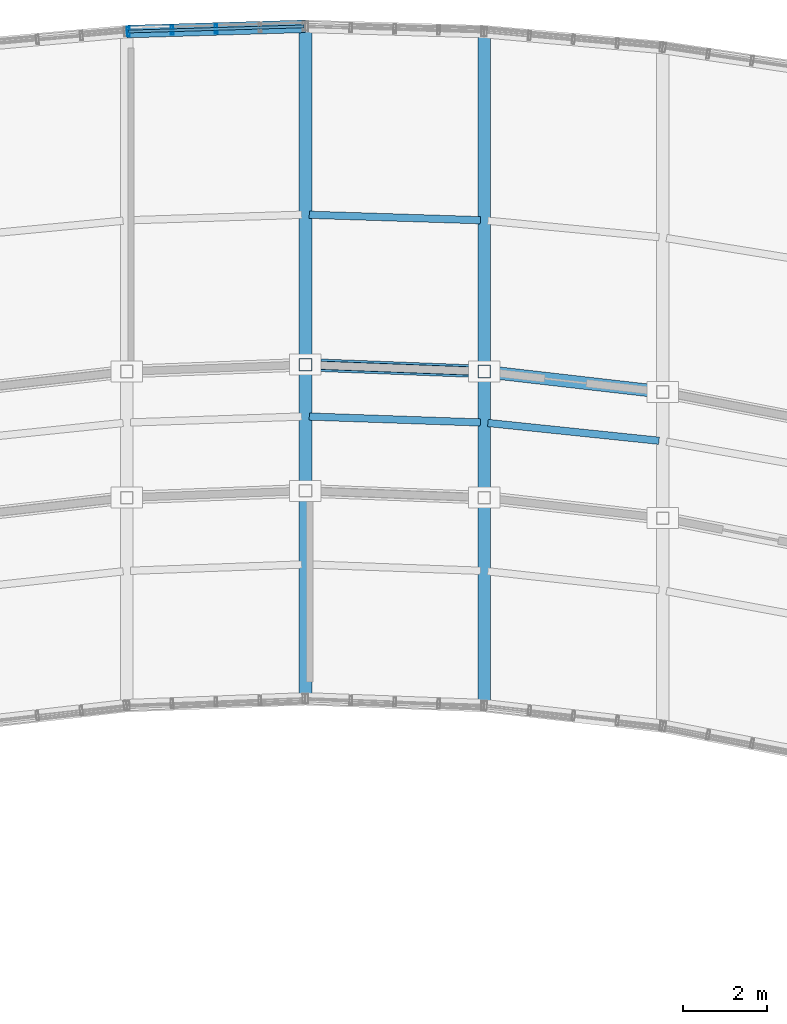
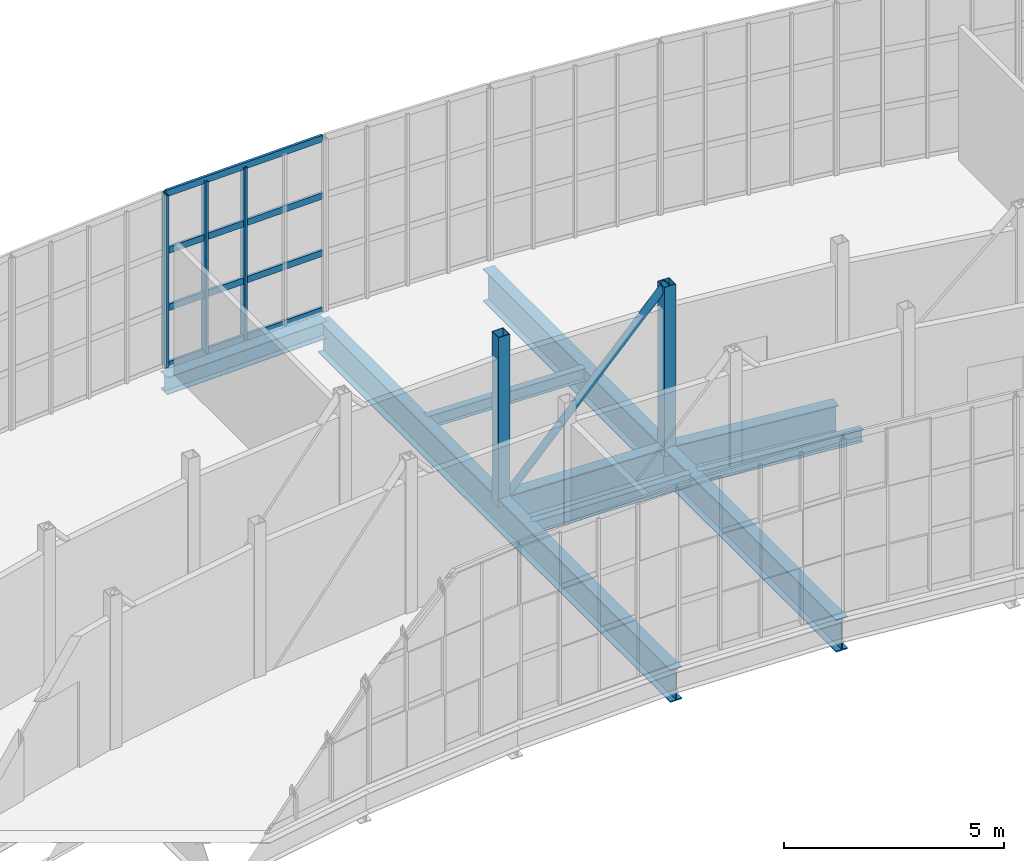
# One storey, part 28 of 46: 10 members, 8 beams, 1 element without a shape of its own.
"""IFC4 building model written with IfcOpenShell, lengths in metres."""

import ifcopenshell
import ifcopenshell.guid

model = None  # the IFC model being written
_history = None  # IfcOwnerHistory: only IFC2X3 demands one
_inside = {}  # id of a spatial element -> (the spatial element, [elements in it])
_under = {}  # id of a project, library or spatial element -> (it, [spatial elements below it])
_declared = {}  # id of a project -> (the project, [libraries it declares])
_typed = {}  # id of a type object -> (the type object, [elements of that type])
_made_of = {}  # id of a material, layer set ... -> (it, [elements and type objects made of it])


def new_model(schema):
    """Start an empty IFC model of exactly this schema.

    Asked for "IFC4X3", IfcOpenShell would pick the latest addendum, in which some entities
    have other attributes; the version numbers below select the first issue.
    IFC2X3 requires an IfcOwnerHistory on every rooted entity: one is made here for all.
    """
    global model, _history
    if schema == "IFC4X3":
        model = ifcopenshell.file(schema_version=(4, 3, 0, 0))
    else:
        model = ifcopenshell.file(schema=schema)
    _inside.clear()
    _under.clear()
    _declared.clear()
    _typed.clear()
    _made_of.clear()
    _history = None
    if model.schema == "IFC2X3":
        org = make("IfcOrganization", Name="unknown")
        user = make(
            "IfcPersonAndOrganization",
            ThePerson=make("IfcPerson", FamilyName="unknown"),
            TheOrganization=org,
        )
        app = make(
            "IfcApplication",
            ApplicationDeveloper=org,
            Version="unknown",
            ApplicationFullName="unknown",
            ApplicationIdentifier="unknown",
        )
        _history = make(
            "IfcOwnerHistory",
            OwningUser=user,
            OwningApplication=app,
            ChangeAction="ADDED",
            CreationDate=0,
        )
    return model


def make(cls, **values):
    """One entity of the class cls with the attributes given. An attribute that is None is left unset."""
    return model.create_entity(
        cls, **{name: value for name, value in values.items() if value is not None}
    )


def rooted(cls, **values):
    """An entity with a GlobalId (a new one), such as an element, a storey or a relation."""
    return make(cls, GlobalId=ifcopenshell.guid.new(), OwnerHistory=_history, **values)


def si_unit(unit_type, name, prefix=None):
    """IfcSIUnit, for example si_unit("LENGTHUNIT", "METRE", prefix="MILLI")."""
    return make("IfcSIUnit", UnitType=unit_type, Prefix=prefix, Name=name)


def assignment(units):
    """IfcUnitAssignment: the units of a project."""
    return None if units is None else make("IfcUnitAssignment", Units=units)


def point(xyz):
    """IfcCartesianPoint."""
    return None if xyz is None else make("IfcCartesianPoint", Coordinates=xyz)


def direction(xyz):
    """IfcDirection."""
    return None if xyz is None else make("IfcDirection", DirectionRatios=xyz)


def frame(location, z_axis=None, x_axis=None):
    """IfcAxis2Placement3D, a coordinate frame: its origin and axes. An axis left out is left unset."""
    return make(
        "IfcAxis2Placement3D",
        Location=point(location),
        Axis=direction(z_axis),
        RefDirection=direction(x_axis),
    )


def frame_2d(location, x_axis=None):
    """IfcAxis2Placement2D, a coordinate frame in the plane: its origin and x axis."""
    return make(
        "IfcAxis2Placement2D", Location=point(location), RefDirection=direction(x_axis)
    )


def origin():
    """The frame at (0, 0, 0) with its axes left unset."""
    return frame((0.0, 0.0, 0.0))


def origin_2d():
    """The frame at (0, 0) in the plane with its x axis left unset."""
    return frame_2d((0.0, 0.0))


def place(relative_to, where):
    """IfcLocalPlacement: puts the frame where relative to a parent placement (None: the world)."""
    return make(
        "IfcLocalPlacement", PlacementRelTo=relative_to, RelativePlacement=where
    )


def context(
    kind, dimensions, precision=None, world=None, true_north=None, identifier=None
):
    """IfcGeometricRepresentationContext, for example the 3D "Model" context."""
    return make(
        "IfcGeometricRepresentationContext",
        ContextIdentifier=identifier,
        ContextType=kind,
        CoordinateSpaceDimension=dimensions,
        Precision=precision,
        WorldCoordinateSystem=world,
        TrueNorth=true_north,
    )


def subcontext(parent, identifier, kind, view, scale=None):
    """IfcGeometricRepresentationSubContext, for example "Body" below "Model"."""
    return make(
        "IfcGeometricRepresentationSubContext",
        ContextIdentifier=identifier,
        ContextType=kind,
        ParentContext=parent,
        TargetScale=scale,
        TargetView=view,
    )


def project(units=None, contexts=None):
    """IfcProject with its units and contexts."""
    return rooted(
        "IfcProject",
        Name="project",
        RepresentationContexts=contexts,
        UnitsInContext=assignment(units),
    )


def spatial(cls, under=None, at=None, **own):
    """A site, building, storey or space (cls), placed at a placement, below another one or the project."""
    s = rooted(cls, ObjectPlacement=at, **own)
    if under is not None:
        _under.setdefault(under.id(), (under, []))[1].append(s)
    return s


def profile(cls, at=None, kind="AREA", **sizes):
    """A parametric profile (cls). Its sizes go by their IFC names, for example OverallWidth=200.0."""
    return make(cls, ProfileType=kind, Position=at, **sizes)


def hollow_rectangle(**sizes):
    """IfcRectangleHollowProfileDef."""
    return profile("IfcRectangleHollowProfileDef", **sizes)


def hollow_circle(**sizes):
    """IfcCircleHollowProfileDef."""
    return profile("IfcCircleHollowProfileDef", **sizes)


def i_section(**sizes):
    """IfcIShapeProfileDef."""
    return profile("IfcIShapeProfileDef", **sizes)


def extrude(swept, where, along, depth):
    """IfcExtrudedAreaSolid: the profile swept, set in the frame where, extruded along a direction by depth."""
    return make(
        "IfcExtrudedAreaSolid",
        SweptArea=swept,
        Position=where,
        ExtrudedDirection=direction(along),
        Depth=depth,
    )


def shape(context_of_items, identifier, shape_type, items):
    """IfcShapeRepresentation: the items that make up one representation, for example the "Body"."""
    return make(
        "IfcShapeRepresentation",
        ContextOfItems=context_of_items,
        RepresentationIdentifier=identifier,
        RepresentationType=shape_type,
        Items=items,
    )


def material(Name=None, Category=None):
    """IfcMaterial."""
    return make("IfcMaterial", Name=Name, Category=Category)


def material_profile(
    of_material, cross_section, Name=None, Category=None, Priority=None
):
    """IfcMaterialProfile: a cross section and its material."""
    return make(
        "IfcMaterialProfile",
        Name=Name,
        Material=of_material,
        Profile=cross_section,
        Priority=Priority,
        Category=Category,
    )


def profile_set(profiles, Name=None, composite=None):
    """IfcMaterialProfileSet."""
    return make(
        "IfcMaterialProfileSet",
        Name=Name,
        MaterialProfiles=profiles,
        CompositeProfile=composite,
    )


def made_of(thing, what):
    """Note that an element or type object is made of a material, layer set ...; save() writes the relation."""
    if what is not None:
        _made_of.setdefault(what.id(), (what, []))[1].append(thing)
    return thing


def type_object(cls, material=None, **own):
    """A type object (cls), such as IfcWallType, which elements share."""
    return made_of(rooted(cls, **own), material)


def element(
    cls,
    number,
    at=None,
    inside=None,
    cuts=None,
    type_object=None,
    material=None,
    context=None,
    identifier="Body",
    shape_type=None,
    held_by="IfcProductDefinitionShape",
    body=None,
    shapes=None,
    **own,
):
    """One element of the class cls, such as IfcWall. Its Tag is "e" and its number.

    at: its placement. inside: the storey or other place that contains it. cuts: it is an
    opening in that element (IfcRelVoidsElement). A single representation is given by context,
    identifier, shape_type and body (its items); several are given by shapes. held_by: the class
    of the entity that holds the representations. save() writes the other relations.
    """
    e = rooted(cls, Tag="e%d" % number, ObjectPlacement=at, **own)
    if body is not None:
        shapes = [shape(context, identifier, shape_type, body)]
    if shapes is not None:
        e.Representation = make(held_by, Representations=shapes)
    if inside is not None:
        _inside.setdefault(inside.id(), (inside, []))[1].append(e)
    if cuts is not None:
        rooted(
            "IfcRelVoidsElement", RelatingBuildingElement=cuts, RelatedOpeningElement=e
        )
    if type_object is not None:
        _typed.setdefault(type_object.id(), (type_object, []))[1].append(e)
    return made_of(e, material)


def aggregate(whole, parts):
    """IfcRelAggregates: a whole, such as a stair, and the parts it consists of."""
    return rooted("IfcRelAggregates", RelatingObject=whole, RelatedObjects=parts)


def save(model, path):
    """Write the relations noted so far, then the file.

    IfcRelAggregates (storeys below a building ...), IfcRelContainedInSpatialStructure (elements
    in a storey), IfcRelDefinesByType, IfcRelAssociatesMaterial and IfcRelDeclares: one each for
    every whole, place, type object, material and project.
    """
    for whole, parts in _under.values():
        aggregate(whole, parts)
    for where, things in _inside.values():
        rooted(
            "IfcRelContainedInSpatialStructure",
            RelatedElements=things,
            RelatingStructure=where,
        )
    for kind, things in _typed.values():
        rooted("IfcRelDefinesByType", RelatedObjects=things, RelatingType=kind)
    for what, things in _made_of.values():
        rooted("IfcRelAssociatesMaterial", RelatedObjects=things, RelatingMaterial=what)
    for by, libraries in _declared.values():
        rooted("IfcRelDeclares", RelatingContext=by, RelatedDefinitions=libraries)
    model.write(path)


model = new_model("IFC4")

# Units and contexts
model_context = context("Model", 3, precision=1e-05, world=origin(), true_north=direction((0.0, 1.0)))
body_context = subcontext(model_context, "Body", "Model", "MODEL_VIEW")
ifc_project = project(units=[si_unit("LENGTHUNIT", "METRE"), si_unit("AREAUNIT", "SQUARE_METRE"), si_unit("VOLUMEUNIT", "CUBIC_METRE"), si_unit("PLANEANGLEUNIT", "RADIAN"), si_unit("MASSUNIT", "GRAM", prefix="KILO")], contexts=[model_context])

# Site, building, storey
site_placement = place(None, origin())
site = spatial("IfcSite", under=ifc_project, at=site_placement, CompositionType="ELEMENT")
building_placement = place(site_placement, origin())
building = spatial("IfcBuilding", under=site, at=building_placement, Name="Solvikara Media Centre", CompositionType="ELEMENT")
storey_placement = place(building_placement, frame((0.0, 0.0, 24.60009765625)))
storey = spatial("IfcBuildingStorey", under=building, at=storey_placement, Name="L05", CompositionType="ELEMENT", Elevation=24.60009765625)

# Beams
ifc_material_1 = material(Name="Steel S355JR", Category="steel")
ifc_material_profile_1 = material_profile(ifc_material_1, i_section(OverallWidth=0.300048828125, OverallDepth=0.89990234375, WebThickness=0.01611328125, FlangeThickness=0.028076171875, at=origin_2d()), Name="WF 900x300x16x28")
ifc_profile_set_1 = profile_set([ifc_material_profile_1], Name="Steel S355JR")
beam_type_1 = type_object("IfcBeamType", Name="BM-15", PredefinedType="BEAM", material=ifc_profile_set_1)
beam_1_placement = place(storey_placement, frame((102.0, 25.467041015625, -0.672119140625), z_axis=(0.0, 1.0, 0.0), x_axis=(-1.0, 0.0, 0.0)))
element("IfcBeam", 1, at=beam_1_placement, inside=storey, type_object=beam_type_1, Name="BG-L05-NS-06", PredefinedType="BEAM", context=body_context, shape_type="SweptSolid", body=[
    extrude(i_section(OverallWidth=0.300048828125, OverallDepth=0.89990234375, WebThickness=0.01611328125, FlangeThickness=0.028076171875, at=origin_2d()), origin(), (0.0, 0.0, 1.0), 16.0),
])
beam_2_placement = place(storey_placement, frame((106.25, 25.304931640625, -0.672119140625), z_axis=(0.0, 1.0, 0.0), x_axis=(-1.0, 0.0, 0.0)))
element("IfcBeam", 2, at=beam_2_placement, inside=storey, type_object=beam_type_1, Name="BG-L05-NS-07", PredefinedType="BEAM", context=body_context, shape_type="SweptSolid", body=[
    extrude(i_section(OverallWidth=0.300048828125, OverallDepth=0.89990234375, WebThickness=0.01611328125, FlangeThickness=0.028076171875, at=origin_2d()), origin(), (0.0, 0.0, 1.0), 16.0361328125),
])
ifc_material_profile_2 = material_profile(ifc_material_1, i_section(OverallWidth=0.300048828125, OverallDepth=0.800048828125, WebThickness=0.013916015625, FlangeThickness=0.02587890625, at=origin_2d()), Name="WF 800x300x14x26")
ifc_profile_set_2 = profile_set([ifc_material_profile_2], Name="Steel S355JR")
beam_type_2 = type_object("IfcBeamType", Name="BM-16", PredefinedType="BEAM", material=ifc_profile_set_2)
beam_3_placement = place(storey_placement, frame((102.090087890625, 33.4140625, -0.6220703125), z_axis=(0.999266124753, -0.038304202383, 0.0), x_axis=(0.038304202383, 0.999266124753, 0.0)))
element("IfcBeam", 3, at=beam_3_placement, inside=storey, type_object=beam_type_2, Name="B-L05-SPNN-06", PredefinedType="BEAM", context=body_context, shape_type="SweptSolid", body=[
    extrude(i_section(OverallWidth=0.300048828125, OverallDepth=0.800048828125, WebThickness=0.013916015625, FlangeThickness=0.02587890625, at=origin_2d()), origin(), (0.0, 0.0, 1.0), 4.07275390625),
])
beam_4_placement = place(storey_placement, frame((106.339111328125, 33.2451171875, -0.6220703125), z_axis=(0.993485932274, -0.113954826025, 0.0), x_axis=(0.113954826025, 0.993485932274, 0.0)))
element("IfcBeam", 4, at=beam_4_placement, inside=storey, type_object=beam_type_2, Name="B-L05-SPNN-07", PredefinedType="BEAM", context=body_context, shape_type="SweptSolid", body=[
    extrude(i_section(OverallWidth=0.300048828125, OverallDepth=0.800048828125, WebThickness=0.013916015625, FlangeThickness=0.02587890625, at=origin_2d()), origin(), (0.0, 0.0, 1.0), 4.098388671875),
])
ifc_material_profile_3 = material_profile(ifc_material_1, i_section(OverallWidth=0.175048828125, OverallDepth=0.35009765625, WebThickness=0.007080078125, FlangeThickness=0.010986328125, at=origin_2d()), Name="WF 350x175x7x11")
ifc_profile_set_3 = profile_set([ifc_material_profile_3], Name="Steel S355JR")
beam_type_3 = type_object("IfcBeamType", Name="BM-22", PredefinedType="JOIST", material=ifc_profile_set_3)
beam_5_placement = place(storey_placement, frame((102.090087890625, 32.18408203125, -0.397216796875), z_axis=(0.999399430727, -0.034652241809, 0.0), x_axis=(0.034652241809, 0.999399430727, 0.0)))
element("IfcBeam", 5, at=beam_5_placement, inside=storey, type_object=beam_type_3, Name="BJ-L05-06-42", PredefinedType="JOIST", context=body_context, shape_type="SweptSolid", body=[
    extrude(i_section(OverallWidth=0.175048828125, OverallDepth=0.35009765625, WebThickness=0.007080078125, FlangeThickness=0.010986328125, at=origin_2d()), origin(), (0.0, 0.0, 1.0), 4.072265625),
])
beam_6_placement = place(storey_placement, frame((102.090087890625, 36.98388671875, -0.397216796875), z_axis=(0.999491149174, -0.031897378006, 0.0), x_axis=(0.031897378006, 0.999491149174, 0.0)))
element("IfcBeam", 6, at=beam_6_placement, inside=storey, type_object=beam_type_3, Name="BJ-L05-06-72", PredefinedType="JOIST", context=body_context, shape_type="SweptSolid", body=[
    extrude(i_section(OverallWidth=0.175048828125, OverallDepth=0.35009765625, WebThickness=0.007080078125, FlangeThickness=0.010986328125, at=origin_2d()), origin(), (0.0, 0.0, 1.0), 4.07177734375),
])
beam_7_placement = place(storey_placement, frame((106.340087890625, 32.031005859375, -0.397216796875), z_axis=(0.99463965164, -0.103401950587, 0.0), x_axis=(0.103401950587, 0.99463965164, 0.0)))
element("IfcBeam", 7, at=beam_7_placement, inside=storey, type_object=beam_type_3, Name="BJ-L05-07-42", PredefinedType="JOIST", context=body_context, shape_type="SweptSolid", body=[
    extrude(i_section(OverallWidth=0.175048828125, OverallDepth=0.35009765625, WebThickness=0.007080078125, FlangeThickness=0.010986328125, at=origin_2d()), origin(), (0.0, 0.0, 1.0), 4.091796875),
])
ifc_material_profile_4 = material_profile(ifc_material_1, i_section(OverallWidth=0.300048828125, OverallDepth=0.48193359375, WebThickness=0.010986328125, FlangeThickness=0.014892578125, at=origin_2d()), Name="WF 482x300x11x15")
ifc_profile_set_4 = profile_set([ifc_material_profile_4], Name="Steel S355JR")
beam_type_4 = type_object("IfcBeamType", Name="BM-32", PredefinedType="SPANDREL", material=ifc_profile_set_4)
beam_8_placement = place(storey_placement, frame((97.75, 41.341064453125, -0.463134765625), z_axis=(0.99956097871, 0.029628530849, 0.0), x_axis=(-0.029628530849, 0.99956097871, 0.0)))
element("IfcBeam", 8, at=beam_8_placement, inside=storey, type_object=beam_type_4, Name="B-L05-NARC-05", PredefinedType="SPANDREL", context=body_context, shape_type="SweptSolid", body=[
    extrude(i_section(OverallWidth=0.300048828125, OverallDepth=0.48193359375, WebThickness=0.010986328125, FlangeThickness=0.014892578125, at=origin_2d()), origin(), (0.0, 0.0, 1.0), 4.251953125),
])

# Members
ifc_material_profile_5 = material_profile(ifc_material_1, hollow_circle(Radius=0.096923828125, WallThickness=0.008056640625, at=origin_2d()), Name="CHS 193.7x8")
ifc_profile_set_5 = profile_set([ifc_material_profile_5], Name="Steel S355JR")
member_type_1 = type_object("IfcMemberType", Name="MB-06", PredefinedType="BRACE", material=ifc_profile_set_5)
member_1_placement = place(storey_placement, frame((102.0, 33.4169921875, -0.4501953125), z_axis=(0.670471987907, -0.025574069392, 0.741493951699), x_axis=(0.038115664855, 0.999273334025, 0.0)))
element("IfcMember", 9, at=member_1_placement, inside=storey, type_object=member_type_1, Name="WTR-L05-N-DA06", PredefinedType="BRACE", context=body_context, shape_type="SweptSolid", body=[
    extrude(hollow_circle(Radius=0.096923828125, WallThickness=0.008056640625, at=origin_2d()), origin(), (0.0, 0.0, 1.0), 6.3388671875),
])
ifc_material_profile_6 = material_profile(ifc_material_1, hollow_rectangle(XDim=0.300048828125, YDim=0.300048828125, WallThickness=0.012451171875, at=origin_2d()), Name="RHS 300x300x12.5")
ifc_profile_set_6 = profile_set([ifc_material_profile_6], Name="Steel S355JR")
member_type_2 = type_object("IfcMemberType", Name="MB-11", PredefinedType="CHORD", material=ifc_profile_set_6)
for number, where, z_axis, x_axis, name in (
    (10, (102.0, 33.4169921875, -0.4501953125), (0.0, 0.0, 1.0), (1.0, 0.0, 0.0), "WTR-L05-N-V06"),
    (11, (106.25, 33.2548828125, -0.4501953125), (0.0, 0.0, 1.0), (1.0, 0.0, 0.0), "WTR-L05-N-V07"),
):
    element("IfcMember", number, at=place(storey_placement, frame(where, z_axis=z_axis, x_axis=x_axis)), inside=storey, type_object=member_type_2, Name=name, PredefinedType="CHORD", context=body_context, shape_type="SweptSolid", body=[
        extrude(hollow_rectangle(XDim=0.300048828125, YDim=0.300048828125, WallThickness=0.012451171875, at=origin_2d()), origin(), (0.0, 0.0, 1.0), 4.7001953125),
    ])

# Curtain wall, members
ifc_material_2 = material(Name="Anodised aluminium EN AW-6063", Category="aluminium")
curtain_wall_type = type_object("IfcCurtainWallType", Name="CW-02", PredefinedType="NOTDEFINED", material=ifc_material_2)
curtain_wall_placement = place(storey_placement, origin())
curtain_wall = element("IfcCurtainWall", 12, at=curtain_wall_placement, inside=storey, type_object=curtain_wall_type, Name="CW-L05-NARC-05", PredefinedType="NOTDEFINED")
ifc_material_profile_7 = material_profile(ifc_material_2, hollow_rectangle(XDim=0.06494140625, YDim=0.219970703125, WallThickness=0.00390625, at=origin_2d()), Name="ALU-M 65x220x4")
ifc_profile_set_7 = profile_set([ifc_material_profile_7], Name="Anodised aluminium EN AW-6063")
member_type_3 = type_object("IfcMemberType", Name="MF-01", PredefinedType="MULLION", material=ifc_profile_set_7)
member_2_placement = place(storey_placement, frame((97.784912109375, 41.342041015625, 0.02001953125), z_axis=(0.0, 0.0, 1.0), x_axis=(0.999560377741, 0.02964879847, 0.0)))
member_2 = element("IfcMember", 13, at=member_2_placement, type_object=member_type_3, Name="CW-L05-NARC-05-M00", PredefinedType="MULLION", context=body_context, shape_type="SweptSolid", body=[
    extrude(hollow_rectangle(XDim=0.06494140625, YDim=0.219970703125, WallThickness=0.00390625, at=origin_2d()), origin(), (0.0, 0.0, 1.0), 4.759765625),
])
member_3_placement = place(storey_placement, frame((98.830078125, 41.373046875, 0.02001953125), z_axis=(0.0, 0.0, 1.0), x_axis=(0.999560377741, 0.02964879847, 0.0)))
member_3 = element("IfcMember", 14, at=member_3_placement, type_object=member_type_3, Name="CW-L05-NARC-05-M01", PredefinedType="MULLION", context=body_context, shape_type="SweptSolid", body=[
    extrude(hollow_rectangle(XDim=0.06494140625, YDim=0.219970703125, WallThickness=0.00390625, at=origin_2d()), origin(), (0.0, 0.0, 1.0), 4.759765625),
])
member_4_placement = place(storey_placement, frame((99.875, 41.404052734375, 0.02001953125), z_axis=(0.0, 0.0, 1.0), x_axis=(0.999560377741, 0.02964879847, 0.0)))
member_4 = element("IfcMember", 15, at=member_4_placement, type_object=member_type_3, Name="CW-L05-NARC-05-M02", PredefinedType="MULLION", context=body_context, shape_type="SweptSolid", body=[
    extrude(hollow_rectangle(XDim=0.06494140625, YDim=0.219970703125, WallThickness=0.00390625, at=origin_2d()), origin(), (0.0, 0.0, 1.0), 4.759765625),
])
ifc_material_profile_8 = material_profile(ifc_material_2, hollow_rectangle(XDim=0.06494140625, YDim=0.179931640625, WallThickness=0.00341796875, at=origin_2d()), Name="ALU-T 65x180x3.5")
ifc_profile_set_8 = profile_set([ifc_material_profile_8], Name="Anodised aluminium EN AW-6063")
member_type_4 = type_object("IfcMemberType", Name="MF-07", PredefinedType="USERDEFINED", material=ifc_profile_set_8)
member_5_placement = place(storey_placement, frame((97.784912109375, 41.342041015625, 0.02001953125), z_axis=(0.999560152797, 0.029656381125, 0.0), x_axis=(-0.029656381125, 0.999560152797, 0.0)))
member_5 = element("IfcMember", 16, at=member_5_placement, type_object=member_type_4, Name="CW-L05-NARC-05-T00", ObjectType="TRANSOM", PredefinedType="USERDEFINED", context=body_context, shape_type="SweptSolid", body=[
    extrude(hollow_rectangle(XDim=0.06494140625, YDim=0.179931640625, WallThickness=0.00341796875, at=origin_2d()), origin(), (0.0, 0.0, 1.0), 4.18212890625),
])
member_6_placement = place(storey_placement, frame((97.784912109375, 41.342041015625, 1.60693359375), z_axis=(0.999560152797, 0.029656381125, 0.0), x_axis=(-0.029656381125, 0.999560152797, 0.0)))
member_6 = element("IfcMember", 17, at=member_6_placement, type_object=member_type_4, Name="CW-L05-NARC-05-T01", ObjectType="TRANSOM", PredefinedType="USERDEFINED", context=body_context, shape_type="SweptSolid", body=[
    extrude(hollow_rectangle(XDim=0.06494140625, YDim=0.179931640625, WallThickness=0.00341796875, at=origin_2d()), origin(), (0.0, 0.0, 1.0), 4.18212890625),
])
member_7_placement = place(storey_placement, frame((97.784912109375, 41.342041015625, 3.19287109375), z_axis=(0.999560152797, 0.029656381125, 0.0), x_axis=(-0.029656381125, 0.999560152797, 0.0)))
member_7 = element("IfcMember", 18, at=member_7_placement, type_object=member_type_4, Name="CW-L05-NARC-05-T02", ObjectType="TRANSOM", PredefinedType="USERDEFINED", context=body_context, shape_type="SweptSolid", body=[
    extrude(hollow_rectangle(XDim=0.06494140625, YDim=0.179931640625, WallThickness=0.00341796875, at=origin_2d()), origin(), (0.0, 0.0, 1.0), 4.18212890625),
])
member_8_placement = place(storey_placement, frame((97.784912109375, 41.342041015625, 4.77978515625), z_axis=(0.999560152797, 0.029656381125, 0.0), x_axis=(-0.029656381125, 0.999560152797, 0.0)))
member_8 = element("IfcMember", 19, at=member_8_placement, type_object=member_type_4, Name="CW-L05-NARC-05-T03", ObjectType="TRANSOM", PredefinedType="USERDEFINED", context=body_context, shape_type="SweptSolid", body=[
    extrude(hollow_rectangle(XDim=0.06494140625, YDim=0.179931640625, WallThickness=0.00341796875, at=origin_2d()), origin(), (0.0, 0.0, 1.0), 4.18212890625),
])
aggregate(curtain_wall, [member_2, member_3, member_4, member_5, member_6, member_7, member_8])

save(model, "model.ifc")
